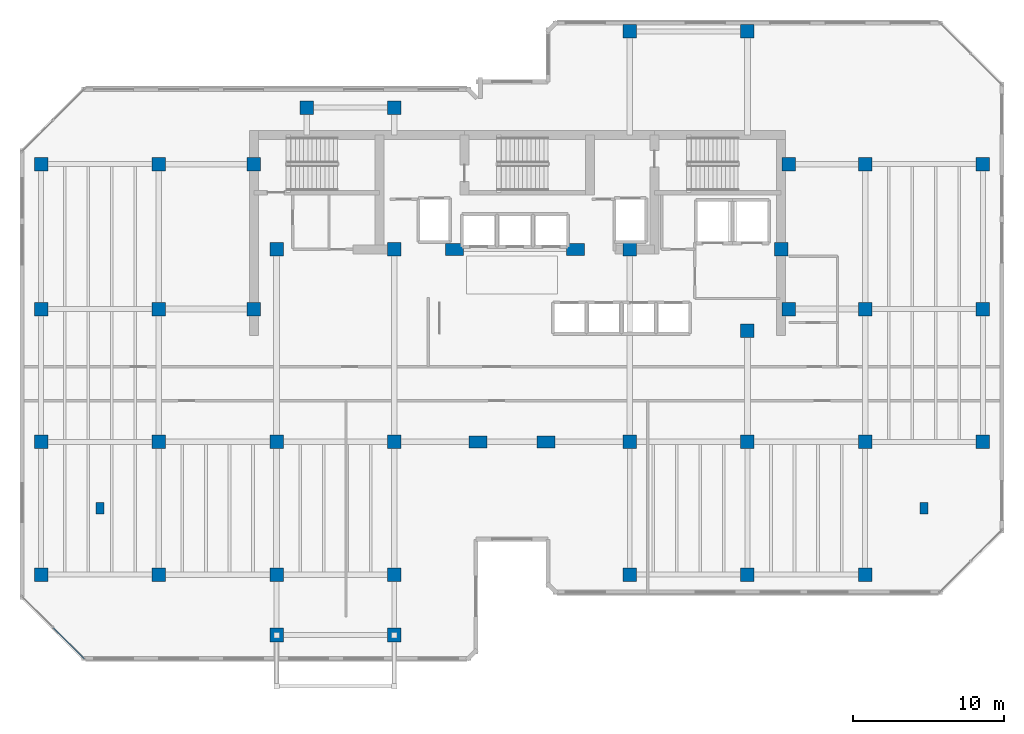
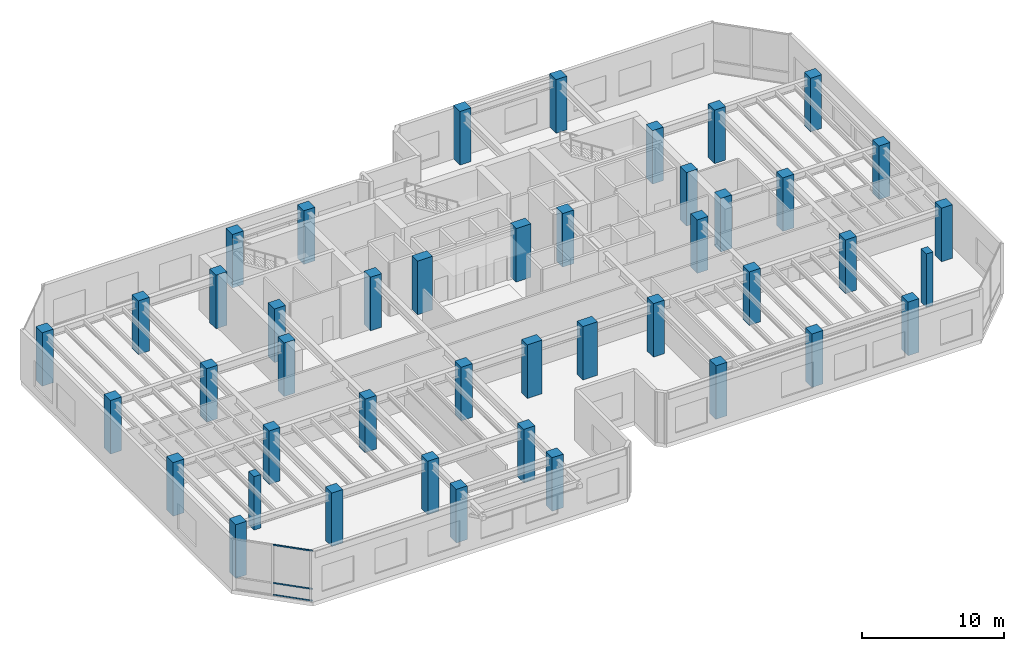
# One storey, part 1 of 20: 44 columns, 3 members, 1 element without a shape of its own.
"""IFC4 building model written with IfcOpenShell, lengths in metres."""

from ifc_helpers import new_model, si_unit, direction, frame, origin, origin_2d, place, context, subcontext, project, spatial, rectangle, hollow_rectangle, extrude, material, layer, layer_set, material_profile, profile_set, type_object, element, aggregate, save


model = new_model("IFC4")

# Units and contexts
model_context = context("Model", 3, precision=1e-05, world=origin(), true_north=direction((0.0, 1.0)))
body_context = subcontext(model_context, "Body", "Model", "MODEL_VIEW")
ifc_project = project(units=[si_unit("LENGTHUNIT", "METRE"), si_unit("AREAUNIT", "SQUARE_METRE"), si_unit("VOLUMEUNIT", "CUBIC_METRE"), si_unit("PLANEANGLEUNIT", "RADIAN"), si_unit("MASSUNIT", "GRAM", prefix="KILO")], contexts=[model_context])

# Site, building, storey
site_placement = place(None, origin())
site = spatial("IfcSite", under=ifc_project, at=site_placement, CompositionType="ELEMENT")
building_placement = place(site_placement, origin())
building = spatial("IfcBuilding", under=site, at=building_placement, Name="Kestravale Grand Hotel", CompositionType="ELEMENT")
storey_placement = place(building_placement, frame((0.0, 0.0, 231.89990234375)))
storey = spatial("IfcBuildingStorey", under=building, at=storey_placement, Name="L58", CompositionType="ELEMENT", Elevation=231.89990234375)

# Columns
ifc_material_1 = material(Name="Concrete f'c 60 MPa", Category="concrete")
ifc_material_profile_1 = material_profile(ifc_material_1, rectangle(XDim=1.199951171875, YDim=0.800048828125, at=origin_2d()))
ifc_profile_set_1 = profile_set([ifc_material_profile_1], Name="Concrete f'c 60 MPa")
column_type_1 = type_object("IfcColumnType", Name="C-Z3-1200X800", PredefinedType="COLUMN", material=ifc_profile_set_1)
for number, where, z_axis, x_axis, name in (
    (1, (36.75, 20.0, 0.0), (0.0, 0.0, 1.0), (1.0, 0.0, 0.0), "L58 column 6-D"),
    (2, (41.25, 20.0, 0.0), (0.0, 0.0, 1.0), (1.0, 0.0, 0.0), "L58 column 7-D"),
    (3, (35.199951171875, 32.75, 0.0), (0.0, 0.0, 1.0), (1.0, 0.0, 0.0), "L58 column 6C-CS"),
    (4, (43.199951171875, 32.75, 0.0), (0.0, 0.0, 1.0), (1.0, 0.0, 0.0), "L58 column 7C-CS"),
):
    element("IfcColumn", number, at=place(storey_placement, frame(where, z_axis=z_axis, x_axis=x_axis)), inside=storey, type_object=column_type_1, Name=name, PredefinedType="COLUMN", context=body_context, shape_type="SweptSolid", body=[
        extrude(rectangle(XDim=1.199951171875, YDim=0.800048828125, at=origin_2d()), origin(), (0.0, 0.0, 1.0), 4.60009765625),
    ])
ifc_material_2 = material(Name="Precast concrete f'c 45 MPa", Category="concrete")
ifc_material_profile_2 = material_profile(ifc_material_2, rectangle(XDim=0.550048828125, YDim=0.75, at=origin_2d()))
ifc_profile_set_2 = profile_set([ifc_material_profile_2], Name="Precast concrete f'c 45 MPa")
column_type_2 = type_object("IfcColumnType", Name="C-Z3-PIL750", PredefinedType="PILASTER", material=ifc_profile_set_2)
for number, where, z_axis, x_axis, name in (
    (5, (11.699951171875, 15.60009765625, 0.0), (0.0, 0.0, 1.0), (1.0, 0.0, 0.0), "L58 Art Deco fluted pilaster P1"),
    (6, (66.300048828125, 15.60009765625, 0.0), (0.0, 0.0, 1.0), (1.0, 0.0, 0.0), "L58 Art Deco fluted pilaster P2"),
):
    element("IfcColumn", number, at=place(storey_placement, frame(where, z_axis=z_axis, x_axis=x_axis)), inside=storey, type_object=column_type_2, Name=name, PredefinedType="PILASTER", context=body_context, shape_type="SweptSolid", body=[
        extrude(rectangle(XDim=0.550048828125, YDim=0.75, at=origin_2d()), origin(), (0.0, 0.0, 1.0), 4.60009765625),
    ])
ifc_material_3 = material(Name="Concrete f'c 50 MPa", Category="concrete")
ifc_material_profile_3 = material_profile(ifc_material_3, rectangle(XDim=0.89990234375, YDim=0.89990234375, at=origin_2d()))
ifc_profile_set_3 = profile_set([ifc_material_profile_3], Name="Concrete f'c 50 MPa")
column_type_3 = type_object("IfcColumnType", Name="C-Z4-900", PredefinedType="COLUMN", material=ifc_profile_set_3)
for number, where, z_axis, x_axis, name in (
    (7, (7.800048828125, 11.199951171875, 0.0), (0.0, 0.0, 1.0), (1.0, 0.0, 0.0), "L58 column 2-C"),
    (8, (7.800048828125, 20.0, 0.0), (0.0, 0.0, 1.0), (1.0, 0.0, 0.0), "L58 column 2-D"),
    (9, (7.800048828125, 28.800048828125, 0.0), (0.0, 0.0, 1.0), (1.0, 0.0, 0.0), "L58 column 2-E"),
    (10, (7.800048828125, 38.39990234375, 0.0), (0.0, 0.0, 1.0), (1.0, 0.0, 0.0), "L58 column 2-F"),
    (11, (15.60009765625, 11.199951171875, 0.0), (0.0, 0.0, 1.0), (1.0, 0.0, 0.0), "L58 column 3-C"),
    (12, (15.60009765625, 20.0, 0.0), (0.0, 0.0, 1.0), (1.0, 0.0, 0.0), "L58 column 3-D"),
    (13, (15.60009765625, 28.800048828125, 0.0), (0.0, 0.0, 1.0), (1.0, 0.0, 0.0), "L58 column 3-E"),
    (14, (15.60009765625, 38.39990234375, 0.0), (0.0, 0.0, 1.0), (1.0, 0.0, 0.0), "L58 column 3-F"),
    (15, (23.39990234375, 11.199951171875, 0.0), (0.0, 0.0, 1.0), (1.0, 0.0, 0.0), "L58 column 4-C"),
    (16, (23.39990234375, 20.0, 0.0), (0.0, 0.0, 1.0), (1.0, 0.0, 0.0), "L58 column 4-D"),
    (17, (31.199951171875, 11.199951171875, 0.0), (0.0, 0.0, 1.0), (1.0, 0.0, 0.0), "L58 column 5-C"),
    (18, (31.199951171875, 20.0, 0.0), (0.0, 0.0, 1.0), (1.0, 0.0, 0.0), "L58 column 5-D"),
    (19, (46.800048828125, 11.199951171875, 0.0), (0.0, 0.0, 1.0), (1.0, 0.0, 0.0), "L58 column 8-C"),
    (20, (46.800048828125, 20.0, 0.0), (0.0, 0.0, 1.0), (1.0, 0.0, 0.0), "L58 column 8-D"),
    (21, (46.800048828125, 47.199951171875, 0.0), (0.0, 0.0, 1.0), (1.0, 0.0, 0.0), "L58 column 8-G"),
    (22, (54.60009765625, 11.199951171875, 0.0), (0.0, 0.0, 1.0), (1.0, 0.0, 0.0), "L58 column 9-C"),
    (23, (54.60009765625, 20.0, 0.0), (0.0, 0.0, 1.0), (1.0, 0.0, 0.0), "L58 column 9-D"),
    (24, (54.60009765625, 47.199951171875, 0.0), (0.0, 0.0, 1.0), (1.0, 0.0, 0.0), "L58 column 9-G"),
    (25, (62.39990234375, 11.199951171875, 0.0), (0.0, 0.0, 1.0), (1.0, 0.0, 0.0), "L58 column 10-C"),
    (26, (62.39990234375, 20.0, 0.0), (0.0, 0.0, 1.0), (1.0, 0.0, 0.0), "L58 column 10-D"),
    (27, (62.39990234375, 28.800048828125, 0.0), (0.0, 0.0, 1.0), (1.0, 0.0, 0.0), "L58 column 10-E"),
    (28, (62.39990234375, 38.39990234375, 0.0), (0.0, 0.0, 1.0), (1.0, 0.0, 0.0), "L58 column 10-F"),
    (29, (70.199951171875, 20.0, 0.0), (0.0, 0.0, 1.0), (1.0, 0.0, 0.0), "L58 column 11-D"),
    (30, (70.199951171875, 28.800048828125, 0.0), (0.0, 0.0, 1.0), (1.0, 0.0, 0.0), "L58 column 11-E"),
    (31, (70.199951171875, 38.39990234375, 0.0), (0.0, 0.0, 1.0), (1.0, 0.0, 0.0), "L58 column 11-F"),
    (32, (21.89990234375, 28.800048828125, 0.0), (0.0, 0.0, 1.0), (1.0, 0.0, 0.0), "L58 column CW-E"),
    (33, (21.89990234375, 38.39990234375, 0.0), (0.0, 0.0, 1.0), (1.0, 0.0, 0.0), "L58 column CW-F"),
    (34, (57.35009765625, 28.800048828125, 0.0), (0.0, 0.0, 1.0), (1.0, 0.0, 0.0), "L58 column CE-E"),
    (35, (57.35009765625, 38.39990234375, 0.0), (0.0, 0.0, 1.0), (1.0, 0.0, 0.0), "L58 column CE-F"),
    (36, (23.39990234375, 32.75, 0.0), (0.0, 0.0, 1.0), (1.0, 0.0, 0.0), "L58 column 4-CS"),
    (37, (31.199951171875, 32.75, 0.0), (0.0, 0.0, 1.0), (1.0, 0.0, 0.0), "L58 column 5-CS"),
    (38, (46.800048828125, 32.75, 0.0), (0.0, 0.0, 1.0), (1.0, 0.0, 0.0), "L58 column 8-CS"),
    (39, (54.60009765625, 27.35009765625, 0.0), (0.0, 0.0, 1.0), (1.0, 0.0, 0.0), "L58 column 9-CS"),
    (40, (56.85009765625, 32.75, 0.0), (0.0, 0.0, 1.0), (1.0, 0.0, 0.0), "L58 column 9C-CS"),
    (41, (23.39990234375, 7.199951171875, 0.0), (0.0, 0.0, 1.0), (1.0, 0.0, 0.0), "L58 column 4-BS"),
    (42, (31.199951171875, 7.199951171875, 0.0), (0.0, 0.0, 1.0), (1.0, 0.0, 0.0), "L58 column 5-BS"),
    (43, (25.39990234375, 42.14990234375, 0.0), (0.0, 0.0, 1.0), (1.0, 0.0, 0.0), "L58 column 4-FN"),
    (44, (31.199951171875, 42.14990234375, 0.0), (0.0, 0.0, 1.0), (1.0, 0.0, 0.0), "L58 column 5-FN"),
):
    element("IfcColumn", number, at=place(storey_placement, frame(where, z_axis=z_axis, x_axis=x_axis)), inside=storey, type_object=column_type_3, Name=name, PredefinedType="COLUMN", context=body_context, shape_type="SweptSolid", body=[
        extrude(rectangle(XDim=0.89990234375, YDim=0.89990234375, at=origin_2d()), origin(), (0.0, 0.0, 1.0), 4.60009765625),
    ])

# Curtain wall, members
ifc_material_4 = material(Name="Thermally broken champagne-bronze aluminium and low-E glazing", Category="aluminium")
ifc_layer = layer(ifc_material_4, 0.179931640625)
ifc_layer_set = layer_set([ifc_layer], Name="CW-Z3")
curtain_wall_type = type_object("IfcCurtainWallType", Name="CW-Z3", PredefinedType="NOTDEFINED", material=ifc_layer_set)
curtain_wall_placement = place(storey_placement, origin())
curtain_wall = element("IfcCurtainWall", 45, at=curtain_wall_placement, inside=storey, type_object=curtain_wall_type, Name="L58 unitised curtain wall 20", PredefinedType="NOTDEFINED")
ifc_material_5 = material(Name="Aluminium 6063-T6 anodised", Category="aluminium")
ifc_material_profile_4 = material_profile(ifc_material_5, hollow_rectangle(XDim=0.06494140625, YDim=0.114990234375, WallThickness=0.003173828125, at=origin_2d()))
ifc_profile_set_4 = profile_set([ifc_material_profile_4], Name="Aluminium 6063-T6 anodised")
member_type = type_object("IfcMemberType", Name="CW-TRN-115", PredefinedType="USERDEFINED", material=ifc_profile_set_4)
member_1_placement = place(storey_placement, frame((8.6220703125, 7.676025390625, 0.03271484375), z_axis=(0.707106781187, -0.707106781187, 0.0), x_axis=(0.707106781187, 0.707106781187, 0.0)))
member_1 = element("IfcMember", 46, at=member_1_placement, type_object=member_type, Name="CW-Z3 transom 2.1", ObjectType="TRANSOM", PredefinedType="USERDEFINED", context=body_context, shape_type="SweptSolid", body=[
    extrude(hollow_rectangle(XDim=0.06494140625, YDim=0.114990234375, WallThickness=0.003173828125, at=origin_2d()), origin(), (0.0, 0.0, 1.0), 2.892333984375),
])
member_2_placement = place(storey_placement, frame((8.6220703125, 7.676025390625, 1.050048828125), z_axis=(0.707106781187, -0.707106781187, 0.0), x_axis=(0.707106781187, 0.707106781187, 0.0)))
member_2 = element("IfcMember", 47, at=member_2_placement, type_object=member_type, Name="CW-Z3 transom 2.2", ObjectType="TRANSOM", PredefinedType="USERDEFINED", context=body_context, shape_type="SweptSolid", body=[
    extrude(hollow_rectangle(XDim=0.06494140625, YDim=0.114990234375, WallThickness=0.003173828125, at=origin_2d()), origin(), (0.0, 0.0, 1.0), 2.892333984375),
])
member_3_placement = place(storey_placement, frame((8.6220703125, 7.676025390625, 4.317626953125), z_axis=(0.707106781187, -0.707106781187, 0.0), x_axis=(0.707106781187, 0.707106781187, 0.0)))
member_3 = element("IfcMember", 48, at=member_3_placement, type_object=member_type, Name="CW-Z3 transom 2.3", ObjectType="TRANSOM", PredefinedType="USERDEFINED", context=body_context, shape_type="SweptSolid", body=[
    extrude(hollow_rectangle(XDim=0.06494140625, YDim=0.114990234375, WallThickness=0.003173828125, at=origin_2d()), origin(), (0.0, 0.0, 1.0), 2.892333984375),
])
aggregate(curtain_wall, [member_1, member_2, member_3])

save(model, "model.ifc")
